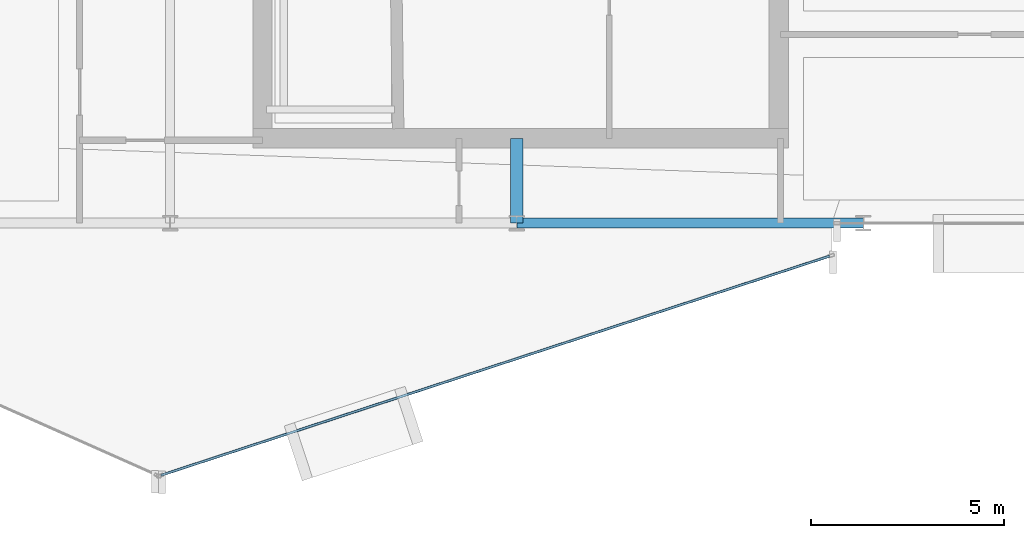
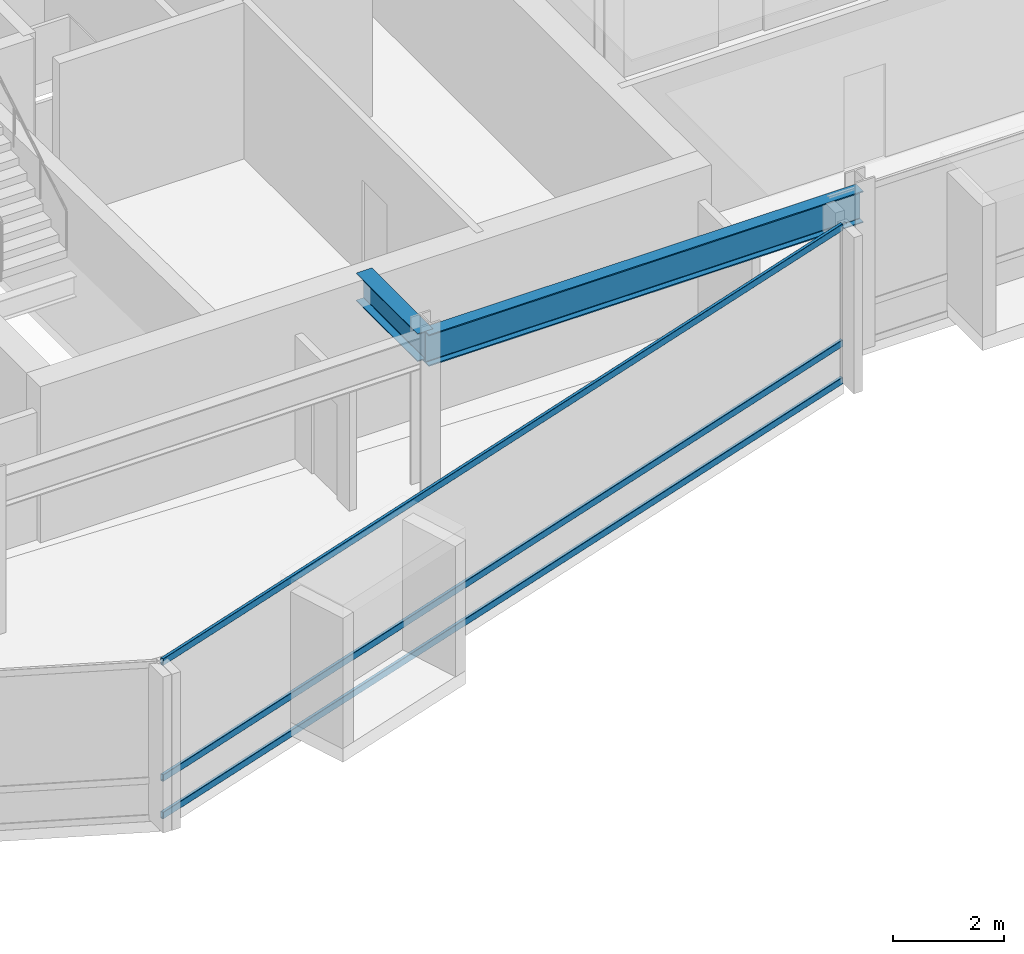
# One storey, part 9 of 28: 3 members, 2 beams, 1 element without a shape of its own.
"""IFC4 building model written with IfcOpenShell, lengths in metres."""

from ifc_helpers import new_model, si_unit, direction, frame, origin, origin_2d, place, context, subcontext, project, spatial, hollow_rectangle, i_section, extrude, material, layer, layer_set, material_profile, profile_set, type_object, element, aggregate, save


model = new_model("IFC4")

# Units and contexts
model_context = context("Model", 3, precision=1e-05, world=origin(), true_north=direction((0.0, 1.0)))
body_context = subcontext(model_context, "Body", "Model", "MODEL_VIEW")
ifc_project = project(units=[si_unit("LENGTHUNIT", "METRE"), si_unit("AREAUNIT", "SQUARE_METRE"), si_unit("VOLUMEUNIT", "CUBIC_METRE"), si_unit("PLANEANGLEUNIT", "RADIAN"), si_unit("MASSUNIT", "GRAM", prefix="KILO")], contexts=[model_context])

# Site, building, storey
site_placement = place(None, origin())
site = spatial("IfcSite", under=ifc_project, at=site_placement, CompositionType="ELEMENT")
building_placement = place(site_placement, origin())
building = spatial("IfcBuilding", under=site, at=building_placement, Name="Solvaryn Broadcast Tower", CompositionType="ELEMENT")
storey_placement = place(building_placement, frame((0.0, 0.0, 213.60009765625)))
storey = spatial("IfcBuildingStorey", under=building, at=storey_placement, Name="L53", CompositionType="ELEMENT", Elevation=213.60009765625)

# Beams
ifc_material_1 = material(Name="Steel ASTM A992 Grade 50", Category="steel")
ifc_material_profile_1 = material_profile(ifc_material_1, i_section(OverallWidth=0.323974609375, OverallDepth=0.611083984375, WebThickness=0.0126953125, FlangeThickness=0.01904296875, FilletRadius=0.014892578125, at=origin_2d()))
ifc_profile_set_1 = profile_set([ifc_material_profile_1], Name="Steel ASTM A992 Grade 50")
beam_type_1 = type_object("IfcBeamType", Name="BM-B1-W24X104", PredefinedType="BEAM", material=ifc_profile_set_1)
beam_1_placement = place(storey_placement, frame((36.0, 9.0, 3.114501953125), z_axis=(0.0, 1.0, 0.0), x_axis=(-1.0, 0.0, 0.0)))
element("IfcBeam", 1, at=beam_1_placement, inside=storey, type_object=beam_type_1, Name="L53 Core Tie Beam CTE1", PredefinedType="BEAM", context=body_context, shape_type="SweptSolid", body=[
    extrude(i_section(OverallWidth=0.323974609375, OverallDepth=0.611083984375, WebThickness=0.0126953125, FlangeThickness=0.01904296875, FilletRadius=0.014892578125, at=origin_2d()), origin(), (0.0, 0.0, 1.0), 2.199951171875),
])
ifc_material_2 = material(Name="Steel ASTM A992 Grade 50", Category="steel")
ifc_material_profile_2 = material_profile(ifc_material_2, i_section(OverallWidth=0.256103515625, OverallDepth=0.693115234375, WebThickness=0.014404296875, FlangeThickness=0.023681640625, FilletRadius=0.01611328125, at=origin_2d()))
ifc_profile_set_2 = profile_set([ifc_material_profile_2], Name="Steel ASTM A992 Grade 50")
beam_type_2 = type_object("IfcBeamType", Name="BM-SP3-W27X114", PredefinedType="USERDEFINED", material=ifc_profile_set_2)
beam_2_placement = place(storey_placement, frame((36.0, 9.0, 3.073486328125), z_axis=(1.0, 0.0, 0.0), x_axis=(0.0, 1.0, 0.0)))
element("IfcBeam", 2, at=beam_2_placement, inside=storey, type_object=beam_type_2, Name="L53 Spandrel Beam X (36-45 @ Y=9)", ObjectType="SPANDREL", PredefinedType="USERDEFINED", context=body_context, shape_type="SweptSolid", body=[
    extrude(i_section(OverallWidth=0.256103515625, OverallDepth=0.693115234375, WebThickness=0.014404296875, FlangeThickness=0.023681640625, FilletRadius=0.01611328125, at=origin_2d()), origin(), (0.0, 0.0, 1.0), 9.0),
])

# Curtain wall, members
ifc_material_3 = material(Name="Aluminium and Terracotta Unitised Curtain Wall", Category="masonry")
ifc_layer = layer(ifc_material_3, 0.199951171875)
ifc_layer_set = layer_set([ifc_layer], Name="CW-SYS2-LOWMID")
curtain_wall_type = type_object("IfcCurtainWallType", Name="CW-SYS2-LOWMID", PredefinedType="NOTDEFINED", material=ifc_layer_set)
curtain_wall_placement = place(storey_placement, origin())
curtain_wall = element("IfcCurtainWall", 3, at=curtain_wall_placement, inside=storey, type_object=curtain_wall_type, Name="L53 Curtain Wall DR4", PredefinedType="NOTDEFINED")
ifc_material_4 = material(Name="Anodised Aluminium 6063-T6", Category="aluminium")
ifc_material_profile_3 = material_profile(ifc_material_4, hollow_rectangle(XDim=0.06494140625, YDim=0.14990234375, WallThickness=0.00390625, InnerFilletRadius=0.00390625, OuterFilletRadius=0.008056640625, at=origin_2d()))
ifc_profile_set_3 = profile_set([ifc_material_profile_3], Name="Anodised Aluminium 6063-T6")
member_type = type_object("IfcMemberType", Name="CW-TRN-150", PredefinedType="USERDEFINED", material=ifc_profile_set_3)
member_1_placement = place(storey_placement, frame((26.762939453125, 2.45166015625, 0.02978515625), z_axis=(0.950227141586, 0.311557987209, 0.0), x_axis=(-0.311557987209, 0.950227141586, 0.0)))
member_1 = element("IfcMember", 4, at=member_1_placement, type_object=member_type, Name="CWS2 transom 1.1", ObjectType="TRANSOM", PredefinedType="USERDEFINED", context=body_context, shape_type="SweptSolid", body=[
    extrude(hollow_rectangle(XDim=0.06494140625, YDim=0.14990234375, WallThickness=0.00390625, InnerFilletRadius=0.00390625, OuterFilletRadius=0.008056640625, at=origin_2d()), origin(), (0.0, 0.0, 1.0), 18.271484375),
])
member_2_placement = place(storey_placement, frame((26.762939453125, 2.45166015625, 0.849853515625), z_axis=(0.950227141586, 0.311557987209, 0.0), x_axis=(-0.311557987209, 0.950227141586, 0.0)))
member_2 = element("IfcMember", 5, at=member_2_placement, type_object=member_type, Name="CWS2 transom 1.2", ObjectType="TRANSOM", PredefinedType="USERDEFINED", context=body_context, shape_type="SweptSolid", body=[
    extrude(hollow_rectangle(XDim=0.06494140625, YDim=0.14990234375, WallThickness=0.00390625, InnerFilletRadius=0.00390625, OuterFilletRadius=0.008056640625, at=origin_2d()), origin(), (0.0, 0.0, 1.0), 18.271484375),
])
member_3_placement = place(storey_placement, frame((26.762939453125, 2.45166015625, 3.389892578125), z_axis=(0.950227141586, 0.311557987209, 0.0), x_axis=(-0.311557987209, 0.950227141586, 0.0)))
member_3 = element("IfcMember", 6, at=member_3_placement, type_object=member_type, Name="CWS2 transom 1.3", ObjectType="TRANSOM", PredefinedType="USERDEFINED", context=body_context, shape_type="SweptSolid", body=[
    extrude(hollow_rectangle(XDim=0.06494140625, YDim=0.14990234375, WallThickness=0.00390625, InnerFilletRadius=0.00390625, OuterFilletRadius=0.008056640625, at=origin_2d()), origin(), (0.0, 0.0, 1.0), 18.271484375),
])
aggregate(curtain_wall, [member_1, member_2, member_3])

save(model, "model.ifc")
